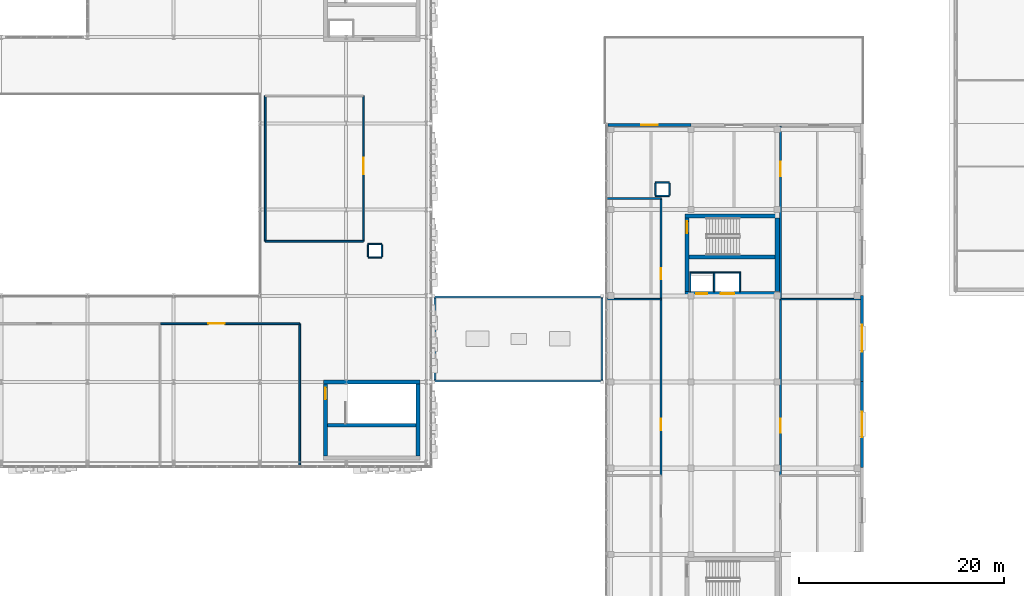
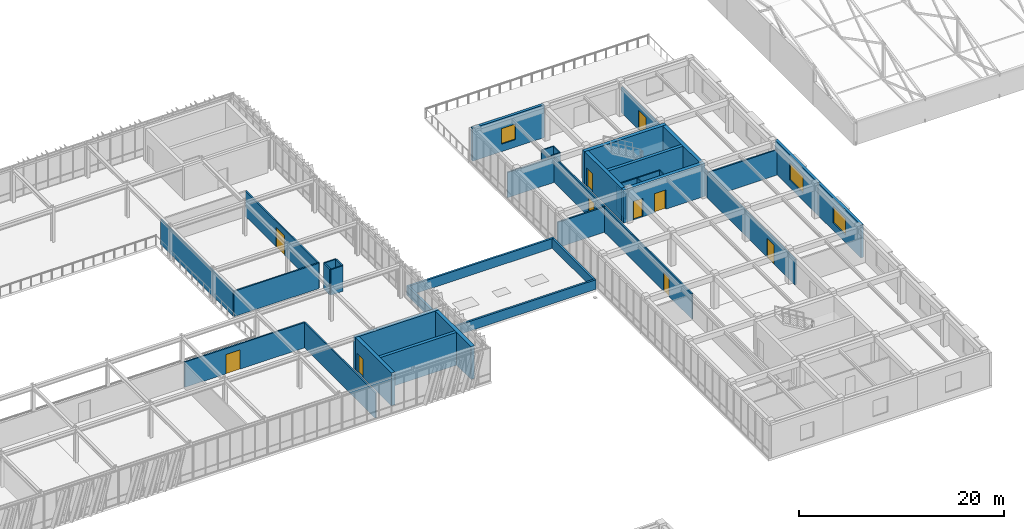
# One storey, part 113 of 123: 40 walls, 10 doors, 3 windows, 13 openings.
"""IFC4 building model written with IfcOpenShell, lengths in metres."""

from ifc_helpers import new_model, si_unit, direction, frame, frame_2d, origin, place, context, subcontext, project, spatial, rectangle, extrude, material, layer, layer_set, type_object, element, fill, save


model = new_model("IFC4")

# Units and contexts
model_context = context("Model", 3, precision=1e-05, world=origin(), true_north=direction((0.0, 1.0)))
body_context = subcontext(model_context, "Body", "Model", "MODEL_VIEW")
ifc_project = project(units=[si_unit("LENGTHUNIT", "METRE"), si_unit("AREAUNIT", "SQUARE_METRE"), si_unit("VOLUMEUNIT", "CUBIC_METRE"), si_unit("PLANEANGLEUNIT", "RADIAN"), si_unit("MASSUNIT", "GRAM", prefix="KILO")], contexts=[model_context])

# Site, building, storey
site_placement = place(None, origin())
site = spatial("IfcSite", under=ifc_project, at=site_placement, CompositionType="ELEMENT")
building_placement = place(site_placement, origin())
building = spatial("IfcBuilding", under=site, at=building_placement, Name="Zayran Congress Hotel", CompositionType="ELEMENT")
storey_placement = place(building_placement, frame((0.0, 0.0, 15.0)))
storey = spatial("IfcBuildingStorey", under=building, at=storey_placement, Name="L03", CompositionType="ELEMENT", Elevation=15.0)

# Wall, opening, window
ifc_material_1 = material(Name="Ajlun white limestone and insulated concrete C32/40", Category="masonry")
ifc_layer_1 = layer(ifc_material_1, 0.300048828125)
ifc_layer_set_1 = layer_set([ifc_layer_1], Name="Ajlun white limestone and insulated concrete C32/40")
wall_type_1 = type_object("IfcWallType", Name="WL-EX-300", PredefinedType="SOLIDWALL", material=ifc_layer_set_1)
wall_1_placement = place(storey_placement, frame((109.5, 101.050048828125, 0.0), z_axis=(0.0, 0.0, 1.0), x_axis=(1.0, 0.0, 0.0)))
wall_1 = element("IfcWall", 1, at=wall_1_placement, inside=storey, type_object=wall_type_1, Name="EW-V4-N-L03-0", PredefinedType="SOLIDWALL", context=body_context, shape_type="SweptSolid", body=[
    extrude(rectangle(XDim=8.10009765625, YDim=0.300048828125, at=frame_2d((4.050048828125, 0.0))), origin(), (0.0, 0.0, 1.0), 3.919921875),
])
opening_1_placement = place(wall_1_placement, frame((3.260009765625, 0.0, 0.89990234375)))
opening_1 = element("IfcOpeningElement", 2, at=opening_1_placement, cuts=wall_1, Name="Opening WN-35", PredefinedType="OPENING", context=body_context, shape_type="SweptSolid", body=[
    extrude(rectangle(XDim=1.580078125, YDim=1.85009765625, at=frame_2d((0.7900390625, 0.925048828125))), frame((0.0, 0.159912109375, 0.0), z_axis=(0.0, -1.0, 0.0), x_axis=(1.0, 0.0, 0.0)), (0.0, 0.0, 1.0), 0.320068359375),
])
ifc_material_2 = material(Name="Anodised aluminium and low-E insulated glass", Category="aluminium")
window_type_1 = type_object("IfcWindowType", Name="TP-WN-35", PartitioningType="DOUBLE_PANEL_VERTICAL", PredefinedType="WINDOW", material=ifc_material_2)
window_1_placement = place(opening_1_placement, origin())
window_1 = element("IfcWindow", 3, at=window_1_placement, inside=storey, type_object=window_type_1, Name="WIN-V4-0148", OverallHeight=1.85009765625, OverallWidth=1.580078125, PartitioningType="SINGLE_PANEL", PredefinedType="WINDOW", context=body_context, shape_type="SweptSolid", body=[
    extrude(rectangle(XDim=1.580078125, YDim=1.85009765625, at=frame_2d((0.7900390625, 0.925048828125))), frame((0.0, 0.030029296875, 0.0), z_axis=(0.0, -1.0, 0.0), x_axis=(1.0, 0.0, 0.0)), (0.0, 0.0, 1.0), 0.06005859375),
])
fill(opening_1, window_1)

wall_2_placement = place(storey_placement, frame((134.25, 76.06396484375, 0.0), z_axis=(0.0, 0.0, 1.0), x_axis=(0.0, -1.0, 0.0)))
wall_2 = element("IfcWall", 4, at=wall_2_placement, inside=storey, type_object=wall_type_1, Name="EW-V4-E-L03-3", PredefinedType="SOLIDWALL", context=body_context, shape_type="SweptSolid", body=[
    extrude(rectangle(XDim=8.3779296875, YDim=0.300048828125, at=frame_2d((4.18896484375, 0.0))), origin(), (0.0, 0.0, 1.0), 3.919921875),
])
opening_2_placement = place(wall_2_placement, frame((2.948974609375, 0.0, 0.89990234375)))
opening_2 = element("IfcOpeningElement", 5, at=opening_2_placement, cuts=wall_2, Name="Opening WN-42", PredefinedType="OPENING", context=body_context, shape_type="SweptSolid", body=[
    extrude(rectangle(XDim=2.47998046875, YDim=2.0, at=frame_2d((1.239990234375, 1.0))), frame((0.0, 0.159912109375, 0.0), z_axis=(0.0, -1.0, 0.0), x_axis=(1.0, 0.0, 0.0)), (0.0, 0.0, 1.0), 0.320068359375),
])
window_type_2 = type_object("IfcWindowType", Name="TP-WN-42", PartitioningType="DOUBLE_PANEL_VERTICAL", PredefinedType="WINDOW", material=ifc_material_2)
window_2_placement = place(opening_2_placement, origin())
window_2 = element("IfcWindow", 6, at=window_2_placement, inside=storey, type_object=window_type_2, Name="WIN-V4-0156", OverallHeight=2.0, OverallWidth=2.47998046875, PartitioningType="SINGLE_PANEL", PredefinedType="WINDOW", context=body_context, shape_type="SweptSolid", body=[
    extrude(rectangle(XDim=2.47998046875, YDim=2.0, at=frame_2d((1.239990234375, 1.0))), frame((0.0, 0.030029296875, 0.0), z_axis=(0.0, -1.0, 0.0), x_axis=(1.0, 0.0, 0.0)), (0.0, 0.0, 1.0), 0.06005859375),
])
fill(opening_2, window_2)

wall_3_placement = place(storey_placement, frame((134.25, 84.443115234375, 0.0), z_axis=(0.0, 0.0, 1.0), x_axis=(0.0, -1.0, 0.0)))
wall_3 = element("IfcWall", 7, at=wall_3_placement, inside=storey, type_object=wall_type_1, Name="EW-V4-E-L03-4", PredefinedType="SOLIDWALL", context=body_context, shape_type="SweptSolid", body=[
    extrude(rectangle(XDim=8.379150390625, YDim=0.300048828125, at=frame_2d((4.189453125, 0.0))), origin(), (0.0, 0.0, 1.0), 3.919921875),
])
opening_3_placement = place(wall_3_placement, frame((2.864990234375, 0.0, 0.89990234375)))
opening_3 = element("IfcOpeningElement", 8, at=opening_3_placement, cuts=wall_3, Name="Opening WN-43", PredefinedType="OPENING", context=body_context, shape_type="SweptSolid", body=[
    extrude(rectangle(XDim=2.64990234375, YDim=2.0, at=frame_2d((1.324951171875, 1.0))), frame((0.0, 0.159912109375, 0.0), z_axis=(0.0, -1.0, 0.0), x_axis=(1.0, 0.0, 0.0)), (0.0, 0.0, 1.0), 0.320068359375),
])
window_type_3 = type_object("IfcWindowType", Name="TP-WN-43", PartitioningType="TRIPLE_PANEL_VERTICAL", PredefinedType="WINDOW", material=ifc_material_2)
window_3_placement = place(opening_3_placement, origin())
window_3 = element("IfcWindow", 9, at=window_3_placement, inside=storey, type_object=window_type_3, Name="WIN-V4-0157", OverallHeight=2.0, OverallWidth=2.64990234375, PartitioningType="SINGLE_PANEL", PredefinedType="WINDOW", context=body_context, shape_type="SweptSolid", body=[
    extrude(rectangle(XDim=2.64990234375, YDim=2.0, at=frame_2d((1.324951171875, 1.0))), frame((0.0, 0.030029296875, 0.0), z_axis=(0.0, -1.0, 0.0), x_axis=(1.0, 0.0, 0.0)), (0.0, 0.0, 1.0), 0.06005859375),
])
fill(opening_3, window_3)

# Walls
ifc_material_3 = material(Name="Concrete C32/40 with limestone coping", Category="masonry")
ifc_layer_2 = layer(ifc_material_3, 0.219970703125)
ifc_layer_set_2 = layer_set([ifc_layer_2], Name="Concrete C32/40 with limestone coping")
wall_type_2 = type_object("IfcWallType", Name="WL-PR-220", PredefinedType="PARAPET", material=ifc_layer_set_2)
for number, where, z_axis, x_axis, name in (
    (10, (92.550048828125, 76.110107421875, 0.0), (0.0, 0.0, 1.0), (1.0, 0.0, 0.0), "PAR-BR1-L03-S"),
    (11, (109.050048828125, 84.2900390625, 0.0), (0.0, 0.0, 1.0), (-1.0, 0.0, 0.0), "PAR-BR1-L03-N"),
):
    element("IfcWall", number, at=place(storey_placement, frame(where, z_axis=z_axis, x_axis=x_axis)), inside=storey, type_object=wall_type_2, Name=name, PredefinedType="PARAPET", context=body_context, shape_type="SweptSolid", body=[
        extrude(rectangle(XDim=16.5, YDim=0.219970703125, at=frame_2d((8.25, 0.0))), origin(), (0.0, 0.0, 1.0), 1.14990234375),
    ])
for number, where, z_axis, x_axis, name in (
    (12, (92.659912109375, 84.179931640625, 0.0), (0.0, 0.0, 1.0), (0.0, -1.0, 0.0), "PAR-BR1-L03-W"),
    (13, (108.93994140625, 76.219970703125, 0.0), (0.0, 0.0, 1.0), (0.0, 1.0, 0.0), "PAR-BR1-L03-E"),
):
    element("IfcWall", number, at=place(storey_placement, frame(where, z_axis=z_axis, x_axis=x_axis)), inside=storey, type_object=wall_type_2, Name=name, PredefinedType="PARAPET", context=body_context, shape_type="SweptSolid", body=[
        extrude(rectangle(XDim=7.9599609375, YDim=0.219970703125, at=frame_2d((3.97998046875, 0.0))), origin(), (0.0, 0.0, 1.0), 1.14990234375),
    ])
ifc_material_4 = material(Name="Concrete C40/50", Category="concrete")
ifc_layer_3 = layer(ifc_material_4, 0.39990234375)
ifc_layer_set_3 = layer_set([ifc_layer_3], Name="Concrete C40/50")
wall_type_3 = type_object("IfcWallType", Name="WL-SH-400", PredefinedType="SHEAR", material=ifc_layer_set_3)
wall_4_placement = place(storey_placement, frame((91.199951171875, 75.985107421875, 0.0), z_axis=(0.0, 0.0, 1.0), x_axis=(-1.0, 0.0, 0.0)))
element("IfcWall", 14, at=wall_4_placement, inside=storey, type_object=wall_type_3, Name="CWALL-C-V1F-L03-N", PredefinedType="SHEAR", context=body_context, shape_type="SweptSolid", body=[
    extrude(rectangle(XDim=9.39990234375, YDim=0.39990234375, at=frame_2d((4.699951171875, 0.0))), origin(), (0.0, 0.0, 1.0), 3.919921875),
])

# Wall, opening, door
wall_5_placement = place(storey_placement, frame((82.0, 75.800048828125, 0.0), z_axis=(0.0, 0.0, 1.0), x_axis=(0.0, -1.0, 0.0)))
wall_5 = element("IfcWall", 15, at=wall_5_placement, inside=storey, type_object=wall_type_3, Name="CWALL-C-V1F-L03-W", PredefinedType="SHEAR", context=body_context, shape_type="SweptSolid", body=[
    extrude(rectangle(XDim=7.0, YDim=0.39990234375, at=frame_2d((3.5, 0.0))), origin(), (0.0, 0.0, 1.0), 3.919921875),
])
opening_4_placement = place(wall_5_placement, frame((0.35009765625, 0.0, 0.0)))
opening_4 = element("IfcOpeningElement", 16, at=opening_4_placement, cuts=wall_5, Name="Opening DR-FD-90", PredefinedType="OPENING", context=body_context, shape_type="SweptSolid", body=[
    extrude(rectangle(XDim=1.14990234375, YDim=2.199951171875, at=frame_2d((0.574951171875, 1.10009765625))), frame((0.0, 0.2099609375, 0.0), z_axis=(0.0, -1.0, 0.0), x_axis=(1.0, 0.0, 0.0)), (0.0, 0.0, 1.0), 0.419921875),
])
ifc_material_5 = material(Name="Painted steel fire door assembly", Category="steel")
door_type_1 = type_object("IfcDoorType", Name="TP-DR-FD-90", OperationType="NOTDEFINED", PredefinedType="DOOR", material=ifc_material_5)
door_1_placement = place(opening_4_placement, origin())
door_1 = element("IfcDoor", 17, at=door_1_placement, inside=storey, type_object=door_type_1, Name="ST-06 Exit Stair Door L03", OperationType="SINGLE_SWING_LEFT", OverallHeight=2.199951171875, OverallWidth=1.14990234375, PredefinedType="DOOR", context=body_context, shape_type="SweptSolid", body=[
    extrude(rectangle(XDim=1.14990234375, YDim=2.199951171875, at=frame_2d((0.574951171875, 1.10009765625))), frame((0.0, 0.02490234375, 0.0), z_axis=(0.0, -1.0, 0.0), x_axis=(1.0, 0.0, 0.0)), (0.0, 0.0, 1.0), 0.050048828125),
])
fill(opening_4, door_1)

# Wall
wall_6_placement = place(storey_placement, frame((91.0, 68.800048828125, 0.0), z_axis=(0.0, 0.0, 1.0), x_axis=(0.0, 1.0, 0.0)))
element("IfcWall", 18, at=wall_6_placement, inside=storey, type_object=wall_type_3, Name="CWALL-C-V1F-L03-E", PredefinedType="SHEAR", context=body_context, shape_type="SweptSolid", body=[
    extrude(rectangle(XDim=7.0, YDim=0.39990234375, at=frame_2d((3.5, 0.0))), origin(), (0.0, 0.0, 1.0), 3.919921875),
])

# Wall, openings, doors
wall_7_placement = place(storey_placement, frame((117.0, 84.60009765625, 0.0), z_axis=(0.0, 0.0, 1.0), x_axis=(1.0, 0.0, 0.0)))
wall_7 = element("IfcWall", 19, at=wall_7_placement, inside=storey, type_object=wall_type_3, Name="CWALL-C-V4N-L03-S", PredefinedType="SHEAR", context=body_context, shape_type="SweptSolid", body=[
    extrude(rectangle(XDim=9.199951171875, YDim=0.39990234375, at=frame_2d((4.60009765625, 0.0))), origin(), (0.0, 0.0, 1.0), 3.919921875),
])
opening_5_placement = place(wall_7_placement, frame((1.10009765625, 0.0, 0.0)))
opening_5 = element("IfcOpeningElement", 20, at=opening_5_placement, cuts=wall_7, Name="Opening LD-PL06", PredefinedType="OPENING", context=body_context, shape_type="SweptSolid", body=[
    extrude(rectangle(XDim=1.10009765625, YDim=2.199951171875, at=frame_2d((0.550048828125, 1.10009765625))), frame((0.0, 0.2099609375, 0.0), z_axis=(0.0, -1.0, 0.0), x_axis=(1.0, 0.0, 0.0)), (0.0, 0.0, 1.0), 0.419921875),
])
opening_6_placement = place(wall_7_placement, frame((3.5, 0.0, 0.0)))
opening_6 = element("IfcOpeningElement", 21, at=opening_6_placement, cuts=wall_7, Name="Opening LD-SV02", PredefinedType="OPENING", context=body_context, shape_type="SweptSolid", body=[
    extrude(rectangle(XDim=1.300048828125, YDim=2.300048828125, at=frame_2d((0.64990234375, 1.14990234375))), frame((0.0, 0.2099609375, 0.0), z_axis=(0.0, -1.0, 0.0), x_axis=(1.0, 0.0, 0.0)), (0.0, 0.0, 1.0), 0.419921875),
])
ifc_material_6 = material(Name="Brushed stainless steel sliding lift landing door", Category="steel")
door_type_2 = type_object("IfcDoorType", Name="TP-DR-LD-01", OperationType="DOUBLE_DOOR_SLIDING", PredefinedType="DOOR", material=ifc_material_6)
door_2_placement = place(opening_5_placement, origin())
door_2 = element("IfcDoor", 22, at=door_2_placement, inside=storey, type_object=door_type_2, Name="Lift PL-06 Sliding Landing Door L03", OperationType="DOUBLE_DOOR_SLIDING", OverallHeight=2.199951171875, OverallWidth=1.10009765625, PredefinedType="DOOR", context=body_context, shape_type="SweptSolid", body=[
    extrude(rectangle(XDim=1.10009765625, YDim=2.199951171875, at=frame_2d((0.550048828125, 1.10009765625))), frame((0.0, 0.02490234375, 0.0), z_axis=(0.0, -1.0, 0.0), x_axis=(1.0, 0.0, 0.0)), (0.0, 0.0, 1.0), 0.050048828125),
])
fill(opening_5, door_2)
ifc_material_7 = material(Name="Heavy-duty stainless steel service lift landing door", Category="steel")
door_type_3 = type_object("IfcDoorType", Name="TP-DR-LD-03", OperationType="DOUBLE_DOOR_SLIDING", PredefinedType="DOOR", material=ifc_material_7)
door_3_placement = place(opening_6_placement, origin())
door_3 = element("IfcDoor", 23, at=door_3_placement, inside=storey, type_object=door_type_3, Name="Lift SV-02 Sliding Landing Door L03", OperationType="DOUBLE_DOOR_SLIDING", OverallHeight=2.300048828125, OverallWidth=1.300048828125, PredefinedType="DOOR", context=body_context, shape_type="SweptSolid", body=[
    extrude(rectangle(XDim=1.300048828125, YDim=2.300048828125, at=frame_2d((0.64990234375, 1.14990234375))), frame((0.0, 0.02490234375, 0.0), z_axis=(0.0, -1.0, 0.0), x_axis=(1.0, 0.0, 0.0)), (0.0, 0.0, 1.0), 0.050048828125),
])
fill(opening_6, door_3)

# Wall
wall_8_placement = place(storey_placement, frame((126.199951171875, 92.18505859375, 0.0), z_axis=(0.0, 0.0, 1.0), x_axis=(-1.0, 0.0, 0.0)))
element("IfcWall", 24, at=wall_8_placement, inside=storey, type_object=wall_type_3, Name="CWALL-C-V4N-L03-N", PredefinedType="SHEAR", context=body_context, shape_type="SweptSolid", body=[
    extrude(rectangle(XDim=9.199951171875, YDim=0.39990234375, at=frame_2d((4.60009765625, 0.0))), origin(), (0.0, 0.0, 1.0), 3.919921875),
])

# Wall, opening, door
wall_9_placement = place(storey_placement, frame((117.199951171875, 92.0, 0.0), z_axis=(0.0, 0.0, 1.0), x_axis=(0.0, -1.0, 0.0)))
wall_9 = element("IfcWall", 25, at=wall_9_placement, inside=storey, type_object=wall_type_3, Name="CWALL-C-V4N-L03-W", PredefinedType="SHEAR", context=body_context, shape_type="SweptSolid", body=[
    extrude(rectangle(XDim=7.199951171875, YDim=0.39990234375, at=frame_2d((3.60009765625, 0.0))), origin(), (0.0, 0.0, 1.0), 3.919921875),
])
opening_7_placement = place(wall_9_placement, frame((0.35009765625, 0.0, 0.0)))
opening_7 = element("IfcOpeningElement", 26, at=opening_7_placement, cuts=wall_9, Name="Opening DR-FD-90", PredefinedType="OPENING", context=body_context, shape_type="SweptSolid", body=[
    extrude(rectangle(XDim=1.14990234375, YDim=2.199951171875, at=frame_2d((0.574951171875, 1.10009765625))), frame((0.0, 0.2099609375, 0.0), z_axis=(0.0, -1.0, 0.0), x_axis=(1.0, 0.0, 0.0)), (0.0, 0.0, 1.0), 0.419921875),
])
door_4_placement = place(opening_7_placement, origin())
door_4 = element("IfcDoor", 27, at=door_4_placement, inside=storey, type_object=door_type_1, Name="ST-07 Exit Stair Door L03", OperationType="SINGLE_SWING_RIGHT", OverallHeight=2.199951171875, OverallWidth=1.14990234375, PredefinedType="DOOR", context=body_context, shape_type="SweptSolid", body=[
    extrude(rectangle(XDim=1.14990234375, YDim=2.199951171875, at=frame_2d((0.574951171875, 1.10009765625))), frame((0.0, 0.02490234375, 0.0), z_axis=(0.0, -1.0, 0.0), x_axis=(1.0, 0.0, 0.0)), (0.0, 0.0, 1.0), 0.050048828125),
])
fill(opening_7, door_4)

# Walls
wall_10_placement = place(storey_placement, frame((126.0, 84.800048828125, 0.0), z_axis=(0.0, 0.0, 1.0), x_axis=(0.0, 1.0, 0.0)))
element("IfcWall", 28, at=wall_10_placement, inside=storey, type_object=wall_type_3, Name="CWALL-C-V4N-L03-E", PredefinedType="SHEAR", context=body_context, shape_type="SweptSolid", body=[
    extrude(rectangle(XDim=7.199951171875, YDim=0.39990234375, at=frame_2d((3.60009765625, 0.0))), origin(), (0.0, 0.0, 1.0), 3.919921875),
])
ifc_layer_4 = layer(ifc_material_4, 0.35009765625)
ifc_layer_set_4 = layer_set([ifc_layer_4], Name="Concrete C40/50")
wall_type_4 = type_object("IfcWallType", Name="WL-SH-350", PredefinedType="SHEAR", material=ifc_layer_set_4)
wall_11_placement = place(storey_placement, frame((82.199951171875, 71.784912109375, 0.0), z_axis=(0.0, 0.0, 1.0), x_axis=(1.0, 0.0, 0.0)))
element("IfcWall", 29, at=wall_11_placement, inside=storey, type_object=wall_type_4, Name="CWALL-C-V1F-L03-SPN", PredefinedType="SHEAR", context=body_context, shape_type="SweptSolid", body=[
    extrude(rectangle(XDim=8.60009765625, YDim=0.35009765625, at=frame_2d((4.300048828125, 0.0))), origin(), (0.0, 0.0, 1.0), 3.919921875),
])
wall_12_placement = place(storey_placement, frame((117.39990234375, 88.18505859375, 0.0), z_axis=(0.0, 0.0, 1.0), x_axis=(1.0, 0.0, 0.0)))
element("IfcWall", 30, at=wall_12_placement, inside=storey, type_object=wall_type_4, Name="CWALL-C-V4N-L03-SPN", PredefinedType="SHEAR", context=body_context, shape_type="SweptSolid", body=[
    extrude(rectangle(XDim=8.400146484375, YDim=0.35009765625, at=frame_2d((4.2001953125, 0.0))), origin(), (0.0, 0.0, 1.0), 3.919921875),
])

# Wall, opening, door
ifc_material_8 = material(Name="Acoustic twin-stud gypsum partition", Category="gypsum")
ifc_layer_5 = layer(ifc_material_8, 0.159912109375)
ifc_layer_set_5 = layer_set([ifc_layer_5], Name="Acoustic twin-stud gypsum partition")
wall_type_5 = type_object("IfcWallType", Name="WL-PT-160", PredefinedType="PARTITIONING", material=ifc_layer_set_5)
wall_13_placement = place(storey_placement, frame((65.919921875, 81.679931640625, 0.0), z_axis=(0.0, 0.0, 1.0), x_axis=(1.0, 0.0, 0.0)))
wall_13 = element("IfcWall", 31, at=wall_13_placement, inside=storey, type_object=wall_type_5, Name="IW-L03-0558", PredefinedType="PARTITIONING", context=body_context, shape_type="SweptSolid", body=[
    extrude(rectangle(XDim=13.56005859375, YDim=0.159912109375, at=frame_2d((6.780029296875, 0.0))), origin(), (0.0, 0.0, 1.0), 3.02001953125),
])
opening_8_placement = place(wall_13_placement, frame((4.6298828125, 0.0, 0.0)))
opening_8 = element("IfcOpeningElement", 32, at=opening_8_placement, cuts=wall_13, Name="Opening DR-MT-02", PredefinedType="OPENING", context=body_context, shape_type="SweptSolid", body=[
    extrude(rectangle(XDim=1.60009765625, YDim=2.300048828125, at=frame_2d((0.800048828125, 1.14990234375))), frame((0.0, 0.08984375, 0.0), z_axis=(0.0, -1.0, 0.0), x_axis=(1.0, 0.0, 0.0)), (0.0, 0.0, 1.0), 0.179931640625),
])
ifc_material_9 = material(Name="Double acoustic timber boardroom door", Category="wood")
door_type_4 = type_object("IfcDoorType", Name="TP-DR-MT-02", OperationType="DOUBLE_DOOR_SINGLE_SWING", PredefinedType="DOOR", material=ifc_material_9)
door_5_placement = place(opening_8_placement, origin())
door_5 = element("IfcDoor", 33, at=door_5_placement, inside=storey, type_object=door_type_4, Name="Diplomatic Briefing Boardroom Door", OperationType="DOUBLE_DOOR_SINGLE_SWING", OverallHeight=2.300048828125, OverallWidth=1.60009765625, PredefinedType="DOOR", context=body_context, shape_type="SweptSolid", body=[
    extrude(rectangle(XDim=1.60009765625, YDim=2.300048828125, at=frame_2d((0.800048828125, 1.14990234375))), frame((0.0, 0.02490234375, 0.0), z_axis=(0.0, -1.0, 0.0), x_axis=(1.0, 0.0, 0.0)), (0.0, 0.0, 1.0), 0.050048828125),
])
fill(opening_8, door_5)

wall_14_placement = place(storey_placement, frame((85.679931640625, 89.719970703125, 0.0), z_axis=(0.0, 0.0, 1.0), x_axis=(0.0, 1.0, 0.0)))
wall_14 = element("IfcWall", 34, at=wall_14_placement, inside=storey, type_object=wall_type_5, Name="IW-L03-0560", PredefinedType="PARTITIONING", context=body_context, shape_type="SweptSolid", body=[
    extrude(rectangle(XDim=14.159912109375, YDim=0.159912109375, at=frame_2d((7.080078125, 0.0))), origin(), (0.0, 0.0, 1.0), 3.02001953125),
])
opening_9_placement = place(wall_14_placement, frame((6.5009765625, 0.0, 0.0)))
opening_9 = element("IfcOpeningElement", 35, at=opening_9_placement, cuts=wall_14, Name="Opening DR-PL-01", PredefinedType="OPENING", context=body_context, shape_type="SweptSolid", body=[
    extrude(rectangle(XDim=1.64990234375, YDim=2.35009765625, at=frame_2d((0.824951171875, 1.175048828125))), frame((0.0, 0.08984375, 0.0), z_axis=(0.0, -1.0, 0.0), x_axis=(1.0, 0.0, 0.0)), (0.0, 0.0, 1.0), 0.179931640625),
])
ifc_material_10 = material(Name="Painted steel plant room double fire door", Category="steel")
door_type_5 = type_object("IfcDoorType", Name="TP-DR-PL-01", OperationType="DOUBLE_DOOR_SINGLE_SWING", PredefinedType="DOOR", material=ifc_material_10)
door_6_placement = place(opening_9_placement, origin())
door_6 = element("IfcDoor", 36, at=door_6_placement, inside=storey, type_object=door_type_5, Name="Congress Smoke Exhaust Plant Room L03 Door", OperationType="DOUBLE_DOOR_SINGLE_SWING", OverallHeight=2.35009765625, OverallWidth=1.64990234375, PredefinedType="DOOR", context=body_context, shape_type="SweptSolid", body=[
    extrude(rectangle(XDim=1.64990234375, YDim=2.35009765625, at=frame_2d((0.824951171875, 1.175048828125))), frame((0.0, 0.02490234375, 0.0), z_axis=(0.0, -1.0, 0.0), x_axis=(1.0, 0.0, 0.0)), (0.0, 0.0, 1.0), 0.050048828125),
])
fill(opening_9, door_6)

wall_15_placement = place(storey_placement, frame((114.679931640625, 66.919921875, 0.0), z_axis=(0.0, 0.0, 1.0), x_axis=(0.0, 1.0, 0.0)))
wall_15 = element("IfcWall", 37, at=wall_15_placement, inside=storey, type_object=wall_type_5, Name="IW-L03-0564", PredefinedType="PARTITIONING", context=body_context, shape_type="SweptSolid", body=[
    extrude(rectangle(XDim=17.16015625, YDim=0.159912109375, at=frame_2d((8.580078125, 0.0))), origin(), (0.0, 0.0, 1.0), 3.02001953125),
])
opening_10_placement = place(wall_15_placement, frame((4.39990234375, 0.0, 0.0)))
opening_10 = element("IfcOpeningElement", 38, at=opening_10_placement, cuts=wall_15, Name="Opening DR-MT-01", PredefinedType="OPENING", context=body_context, shape_type="SweptSolid", body=[
    extrude(rectangle(XDim=1.080078125, YDim=2.25, at=frame_2d((0.5400390625, 1.125))), frame((0.0, 0.08984375, 0.0), z_axis=(0.0, -1.0, 0.0), x_axis=(1.0, 0.0, 0.0)), (0.0, 0.0, 1.0), 0.179931640625),
])
ifc_material_11 = material(Name="Acoustic timber seminar room door", Category="wood")
door_type_6 = type_object("IfcDoorType", Name="TP-DR-MT-01", OperationType="NOTDEFINED", PredefinedType="DOOR", material=ifc_material_11)
door_7_placement = place(opening_10_placement, origin())
door_7 = element("IfcDoor", 39, at=door_7_placement, inside=storey, type_object=door_type_6, Name="Meeting Room Seminar L03-03 Door", OperationType="SINGLE_SWING_RIGHT", OverallHeight=2.25, OverallWidth=1.080078125, PredefinedType="DOOR", context=body_context, shape_type="SweptSolid", body=[
    extrude(rectangle(XDim=1.080078125, YDim=2.25, at=frame_2d((0.5400390625, 1.125))), frame((0.0, 0.02490234375, 0.0), z_axis=(0.0, -1.0, 0.0), x_axis=(1.0, 0.0, 0.0)), (0.0, 0.0, 1.0), 0.050048828125),
])
fill(opening_10, door_7)

wall_16_placement = place(storey_placement, frame((126.320068359375, 66.919921875, 0.0), z_axis=(0.0, 0.0, 1.0), x_axis=(0.0, 1.0, 0.0)))
wall_16 = element("IfcWall", 40, at=wall_16_placement, inside=storey, type_object=wall_type_5, Name="IW-L03-0565", PredefinedType="PARTITIONING", context=body_context, shape_type="SweptSolid", body=[
    extrude(rectangle(XDim=17.16015625, YDim=0.159912109375, at=frame_2d((8.580078125, 0.0))), origin(), (0.0, 0.0, 1.0), 3.02001953125),
])
opening_11_placement = place(wall_16_placement, frame((4.131103515625, 0.0, 0.0)))
opening_11 = element("IfcOpeningElement", 41, at=opening_11_placement, cuts=wall_16, Name="Opening DR-MT-03", PredefinedType="OPENING", context=body_context, shape_type="SweptSolid", body=[
    extrude(rectangle(XDim=1.3798828125, YDim=2.280029296875, at=frame_2d((0.68994140625, 1.14013671875))), frame((0.0, 0.08984375, 0.0), z_axis=(0.0, -1.0, 0.0), x_axis=(1.0, 0.0, 0.0)), (0.0, 0.0, 1.0), 0.179931640625),
])
ifc_material_12 = material(Name="Double caucus salon door", Category="steel")
door_type_7 = type_object("IfcDoorType", Name="TP-DR-MT-03", OperationType="DOUBLE_DOOR_SINGLE_SWING", PredefinedType="DOOR", material=ifc_material_12)
door_8_placement = place(opening_11_placement, origin())
door_8 = element("IfcDoor", 42, at=door_8_placement, inside=storey, type_object=door_type_7, Name="Caucus Suite East L03-03 Door", OperationType="DOUBLE_DOOR_SINGLE_SWING", OverallHeight=2.280029296875, OverallWidth=1.3798828125, PredefinedType="DOOR", context=body_context, shape_type="SweptSolid", body=[
    extrude(rectangle(XDim=1.3798828125, YDim=2.280029296875, at=frame_2d((0.68994140625, 1.14013671875))), frame((0.0, 0.02490234375, 0.0), z_axis=(0.0, -1.0, 0.0), x_axis=(1.0, 0.0, 0.0)), (0.0, 0.0, 1.0), 0.050048828125),
])
fill(opening_11, door_8)

wall_17_placement = place(storey_placement, frame((114.679931640625, 84.1201171875, 0.0), z_axis=(0.0, 0.0, 1.0), x_axis=(0.0, 1.0, 0.0)))
wall_17 = element("IfcWall", 43, at=wall_17_placement, inside=storey, type_object=wall_type_5, Name="IW-L03-0566", PredefinedType="PARTITIONING", context=body_context, shape_type="SweptSolid", body=[
    extrude(rectangle(XDim=9.759765625, YDim=0.159912109375, at=frame_2d((4.8798828125, 0.0))), origin(), (0.0, 0.0, 1.0), 3.02001953125),
])
opening_12_placement = place(wall_17_placement, frame((1.8798828125, 0.0, 0.0)))
opening_12 = element("IfcOpeningElement", 44, at=opening_12_placement, cuts=wall_17, Name="Opening DR-MT-01", PredefinedType="OPENING", context=body_context, shape_type="SweptSolid", body=[
    extrude(rectangle(XDim=1.080078125, YDim=2.25, at=frame_2d((0.5400390625, 1.125))), frame((0.0, 0.08984375, 0.0), z_axis=(0.0, -1.0, 0.0), x_axis=(1.0, 0.0, 0.0)), (0.0, 0.0, 1.0), 0.179931640625),
])
door_9_placement = place(opening_12_placement, origin())
door_9 = element("IfcDoor", 45, at=door_9_placement, inside=storey, type_object=door_type_6, Name="Meeting Room Seminar L03-04 Door", OperationType="SINGLE_SWING_LEFT", OverallHeight=2.25, OverallWidth=1.080078125, PredefinedType="DOOR", context=body_context, shape_type="SweptSolid", body=[
    extrude(rectangle(XDim=1.080078125, YDim=2.25, at=frame_2d((0.5400390625, 1.125))), frame((0.0, 0.02490234375, 0.0), z_axis=(0.0, -1.0, 0.0), x_axis=(1.0, 0.0, 0.0)), (0.0, 0.0, 1.0), 0.050048828125),
])
fill(opening_12, door_9)

wall_18_placement = place(storey_placement, frame((126.320068359375, 84.1201171875, 0.0), z_axis=(0.0, 0.0, 1.0), x_axis=(0.0, 1.0, 0.0)))
wall_18 = element("IfcWall", 46, at=wall_18_placement, inside=storey, type_object=wall_type_5, Name="IW-L03-0567", PredefinedType="PARTITIONING", context=body_context, shape_type="SweptSolid", body=[
    extrude(rectangle(XDim=16.77978515625, YDim=0.159912109375, at=frame_2d((8.389892578125, 0.0))), origin(), (0.0, 0.0, 1.0), 3.02001953125),
])
opening_13_placement = place(wall_18_placement, frame((11.93701171875, 0.0, 0.0)))
opening_13 = element("IfcOpeningElement", 47, at=opening_13_placement, cuts=wall_18, Name="Opening DR-MT-03", PredefinedType="OPENING", context=body_context, shape_type="SweptSolid", body=[
    extrude(rectangle(XDim=1.3798828125, YDim=2.280029296875, at=frame_2d((0.68994140625, 1.14013671875))), frame((0.0, 0.08984375, 0.0), z_axis=(0.0, -1.0, 0.0), x_axis=(1.0, 0.0, 0.0)), (0.0, 0.0, 1.0), 0.179931640625),
])
door_10_placement = place(opening_13_placement, origin())
door_10 = element("IfcDoor", 48, at=door_10_placement, inside=storey, type_object=door_type_7, Name="Caucus Suite East L03-04 Door", OperationType="DOUBLE_DOOR_SINGLE_SWING", OverallHeight=2.280029296875, OverallWidth=1.3798828125, PredefinedType="DOOR", context=body_context, shape_type="SweptSolid", body=[
    extrude(rectangle(XDim=1.3798828125, YDim=2.280029296875, at=frame_2d((0.68994140625, 1.14013671875))), frame((0.0, 0.02490234375, 0.0), z_axis=(0.0, -1.0, 0.0), x_axis=(1.0, 0.0, 0.0)), (0.0, 0.0, 1.0), 0.050048828125),
])
fill(opening_13, door_10)

# Walls
wall_19_placement = place(storey_placement, frame((79.47998046875, 67.77001953125, 0.0), z_axis=(0.0, 0.0, 1.0), x_axis=(0.0, 1.0, 0.0)))
element("IfcWall", 49, at=wall_19_placement, inside=storey, type_object=wall_type_5, Name="IW-L03-1873", PredefinedType="PARTITIONING", context=body_context, shape_type="SweptSolid", body=[
    extrude(rectangle(XDim=13.909912109375, YDim=0.159912109375, at=frame_2d((6.955078125, 0.0))), origin(), (0.0, 0.0, 1.0), 3.02001953125),
])
wall_20_placement = place(storey_placement, frame((76.1201171875, 89.719970703125, 0.0), z_axis=(0.0, 0.0, 1.0), x_axis=(1.0, 0.0, 0.0)))
element("IfcWall", 50, at=wall_20_placement, inside=storey, type_object=wall_type_5, Name="IW-L03-1876", PredefinedType="PARTITIONING", context=body_context, shape_type="SweptSolid", body=[
    extrude(rectangle(XDim=9.559814453125, YDim=0.159912109375, at=frame_2d((4.77978515625, 0.0))), origin(), (0.0, 0.0, 1.0), 3.02001953125),
])
wall_21_placement = place(storey_placement, frame((76.1201171875, 89.719970703125, 0.0), z_axis=(0.0, 0.0, 1.0), x_axis=(0.0, 1.0, 0.0)))
element("IfcWall", 51, at=wall_21_placement, inside=storey, type_object=wall_type_5, Name="IW-L03-1878", PredefinedType="PARTITIONING", context=body_context, shape_type="SweptSolid", body=[
    extrude(rectangle(XDim=14.159912109375, YDim=0.159912109375, at=frame_2d((7.080078125, 0.0))), origin(), (0.0, 0.0, 1.0), 3.02001953125),
])
wall_22_placement = place(storey_placement, frame((109.360107421875, 84.080078125, 0.0), z_axis=(0.0, 0.0, 1.0), x_axis=(1.0, 0.0, 0.0)))
element("IfcWall", 52, at=wall_22_placement, inside=storey, type_object=wall_type_5, Name="IW-L03-1883", PredefinedType="PARTITIONING", context=body_context, shape_type="SweptSolid", body=[
    extrude(rectangle(XDim=5.31982421875, YDim=0.159912109375, at=frame_2d((2.659912109375, 0.0))), origin(), (0.0, 0.0, 1.0), 3.02001953125),
])
wall_23_placement = place(storey_placement, frame((126.320068359375, 84.080078125, 0.0), z_axis=(0.0, 0.0, 1.0), x_axis=(1.0, 0.0, 0.0)))
element("IfcWall", 53, at=wall_23_placement, inside=storey, type_object=wall_type_5, Name="IW-L03-1884", PredefinedType="PARTITIONING", context=body_context, shape_type="SweptSolid", body=[
    extrude(rectangle(XDim=7.780029296875, YDim=0.159912109375, at=frame_2d((3.89013671875, 0.0))), origin(), (0.0, 0.0, 1.0), 3.02001953125),
])
wall_24_placement = place(storey_placement, frame((109.360107421875, 93.8798828125, 0.0), z_axis=(0.0, 0.0, 1.0), x_axis=(1.0, 0.0, 0.0)))
element("IfcWall", 54, at=wall_24_placement, inside=storey, type_object=wall_type_5, Name="IW-L03-1885", PredefinedType="PARTITIONING", context=body_context, shape_type="SweptSolid", body=[
    extrude(rectangle(XDim=5.31982421875, YDim=0.159912109375, at=frame_2d((2.659912109375, 0.0))), origin(), (0.0, 0.0, 1.0), 3.02001953125),
])
ifc_material_13 = material(Name="Hospitality guestroom acoustic partition", Category="gypsum")
ifc_layer_6 = layer(ifc_material_13, 0.139892578125)
ifc_layer_set_6 = layer_set([ifc_layer_6], Name="Hospitality guestroom acoustic partition")
wall_type_6 = type_object("IfcWallType", Name="WL-PT-140", PredefinedType="PARTITIONING", material=ifc_layer_set_6)
for number, where, z_axis, x_axis, name in (
    (55, (117.530029296875, 84.800048828125, 0.0), (0.0, 0.0, 1.0), (0.0, 1.0, 0.0), "LSHW-C-V4N-L03-W"),
    (56, (119.85009765625, 84.800048828125, 0.0), (0.0, 0.0, 1.0), (0.0, 1.0, 0.0), "LSHW-C-V4N-L03-DIV1"),
    (57, (122.3701171875, 84.800048828125, 0.0), (0.0, 0.0, 1.0), (0.0, 1.0, 0.0), "LSHW-C-V4N-L03-E"),
):
    element("IfcWall", number, at=place(storey_placement, frame(where, z_axis=z_axis, x_axis=x_axis)), inside=storey, type_object=wall_type_6, Name=name, PredefinedType="PARTITIONING", context=body_context, shape_type="SweptSolid", body=[
        extrude(rectangle(XDim=1.800048828125, YDim=0.139892578125, at=frame_2d((0.89990234375, 0.0))), origin(), (0.0, 0.0, 1.0), 3.070068359375),
    ])
wall_25_placement = place(storey_placement, frame((117.4599609375, 86.669921875, 0.0), z_axis=(0.0, 0.0, 1.0), x_axis=(1.0, 0.0, 0.0)))
element("IfcWall", 58, at=wall_25_placement, inside=storey, type_object=wall_type_6, Name="LSHW-C-V4N-L03-N", PredefinedType="PARTITIONING", context=body_context, shape_type="SweptSolid", body=[
    extrude(rectangle(XDim=4.97998046875, YDim=0.139892578125, at=frame_2d((2.489990234375, 0.0))), origin(), (0.0, 0.0, 1.0), 3.070068359375),
])
for number, where, z_axis, x_axis, name in (
    (59, (86.1298828125, 88.1298828125, 0.0), (0.0, 0.0, 1.0), (1.0, 0.0, 0.0), "RSWL-V1-L03-008-S"),
    (60, (87.489990234375, 89.449951171875, 0.0), (0.0, 0.0, 1.0), (-1.0, 0.0, 0.0), "RSWL-V1-L03-008-N"),
):
    element("IfcWall", number, at=place(storey_placement, frame(where, z_axis=z_axis, x_axis=x_axis)), inside=storey, type_object=wall_type_6, Name=name, PredefinedType="PARTITIONING", context=body_context, shape_type="SweptSolid", body=[
        extrude(rectangle(XDim=1.360107421875, YDim=0.139892578125, at=frame_2d((0.68017578125, 0.0))), origin(), (0.0, 0.0, 1.0), 3.0400390625),
    ])
for number, where, z_axis, x_axis, name in (
    (61, (86.1298828125, 89.3798828125, 0.0), (0.0, 0.0, 1.0), (0.0, -1.0, 0.0), "RSWL-V1-L03-008-W"),
    (62, (87.489990234375, 88.199951171875, 0.0), (0.0, 0.0, 1.0), (0.0, 1.0, 0.0), "RSWL-V1-L03-008-E"),
):
    element("IfcWall", number, at=place(storey_placement, frame(where, z_axis=z_axis, x_axis=x_axis)), inside=storey, type_object=wall_type_6, Name=name, PredefinedType="PARTITIONING", context=body_context, shape_type="SweptSolid", body=[
        extrude(rectangle(XDim=1.179931640625, YDim=0.139892578125, at=frame_2d((0.58984375, 0.0))), origin(), (0.0, 0.0, 1.0), 3.0400390625),
    ])
for number, where, z_axis, x_axis, name in (
    (63, (114.1298828125, 94.1298828125, 0.0), (0.0, 0.0, 1.0), (1.0, 0.0, 0.0), "RSWL-V4-L03-022-S"),
    (64, (115.489990234375, 95.449951171875, 0.0), (0.0, 0.0, 1.0), (-1.0, 0.0, 0.0), "RSWL-V4-L03-022-N"),
):
    element("IfcWall", number, at=place(storey_placement, frame(where, z_axis=z_axis, x_axis=x_axis)), inside=storey, type_object=wall_type_6, Name=name, PredefinedType="PARTITIONING", context=body_context, shape_type="SweptSolid", body=[
        extrude(rectangle(XDim=1.360107421875, YDim=0.139892578125, at=frame_2d((0.68017578125, 0.0))), origin(), (0.0, 0.0, 1.0), 3.0400390625),
    ])
for number, where, z_axis, x_axis, name in (
    (65, (114.1298828125, 95.3798828125, 0.0), (0.0, 0.0, 1.0), (0.0, -1.0, 0.0), "RSWL-V4-L03-022-W"),
    (66, (115.489990234375, 94.199951171875, 0.0), (0.0, 0.0, 1.0), (0.0, 1.0, 0.0), "RSWL-V4-L03-022-E"),
):
    element("IfcWall", number, at=place(storey_placement, frame(where, z_axis=z_axis, x_axis=x_axis)), inside=storey, type_object=wall_type_6, Name=name, PredefinedType="PARTITIONING", context=body_context, shape_type="SweptSolid", body=[
        extrude(rectangle(XDim=1.179931640625, YDim=0.139892578125, at=frame_2d((0.58984375, 0.0))), origin(), (0.0, 0.0, 1.0), 3.0400390625),
    ])

save(model, "model.ifc")
